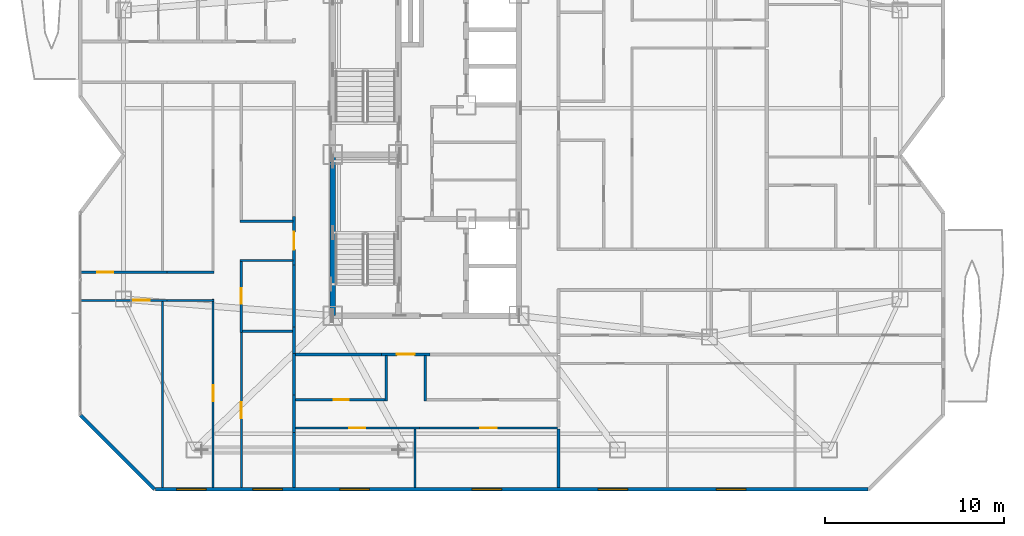
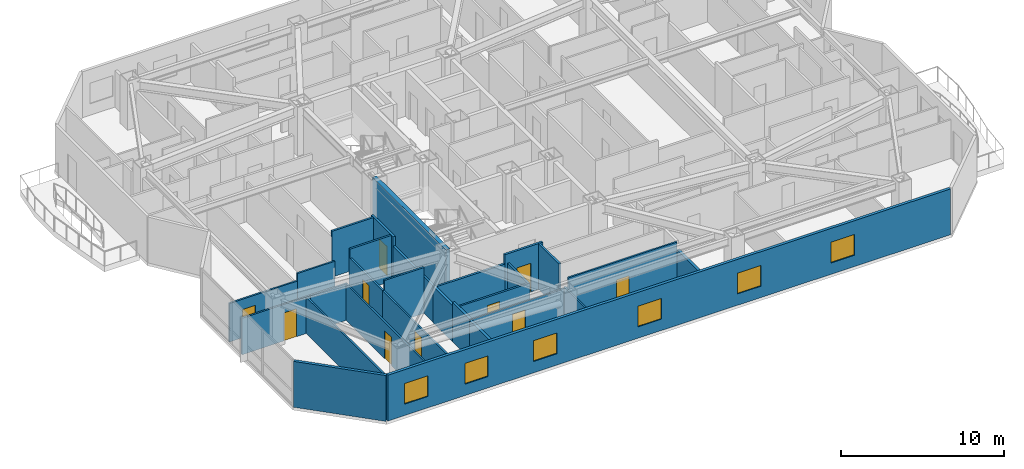
# One storey, part 9 of 16: 29 walls, 10 doors, 6 windows, 16 openings.
"""IFC4 building model written with IfcOpenShell, lengths in metres."""

from ifc_helpers import new_model, si_unit, direction, frame, frame_2d, origin, place, context, subcontext, project, spatial, rectangle, extrude, material, layer, layer_set, type_object, element, fill, save


model = new_model("IFC4")

# Units and contexts
model_context = context("Model", 3, precision=1e-05, world=origin(), true_north=direction((0.0, 1.0)))
body_context = subcontext(model_context, "Body", "Model", "MODEL_VIEW")
ifc_project = project(units=[si_unit("LENGTHUNIT", "METRE"), si_unit("AREAUNIT", "SQUARE_METRE"), si_unit("VOLUMEUNIT", "CUBIC_METRE"), si_unit("PLANEANGLEUNIT", "RADIAN"), si_unit("MASSUNIT", "GRAM", prefix="KILO")], contexts=[model_context])

# Site, building, storey
site_placement = place(None, origin())
site = spatial("IfcSite", under=ifc_project, at=site_placement, CompositionType="ELEMENT")
building_placement = place(site_placement, origin())
building = spatial("IfcBuilding", under=site, at=building_placement, Name="Khamvora Tower", CompositionType="ELEMENT")
storey_placement = place(building_placement, frame((0.0, 0.0, 170.5)))
storey = spatial("IfcBuildingStorey", under=building, at=storey_placement, Name="L43", CompositionType="ELEMENT", Elevation=170.5)

# Walls
ifc_material_1 = material(Name="Concrete C50/60", Category="concrete")
ifc_layer_1 = layer(ifc_material_1, 0.300048828125)
ifc_layer_set_1 = layer_set([ifc_layer_1], Name="Concrete C50/60")
wall_type_1 = type_object("IfcWallType", Name="WAL-CORE-300", PredefinedType="SHEAR", material=ifc_layer_set_1)
wall_1_placement = place(storey_placement, frame((29.0, 19.0, 0.0), z_axis=(0.0, 0.0, 1.0), x_axis=(0.0, 1.0, 0.0)))
element("IfcWall", 1, at=wall_1_placement, inside=storey, type_object=wall_type_1, Name="L43 central core west south wall", PredefinedType="SHEAR", context=body_context, shape_type="SweptSolid", body=[
    extrude(rectangle(XDim=9.0, YDim=0.300048828125, at=frame_2d((4.5, 0.0))), origin(), (0.0, 0.0, 1.0), 3.429931640625),
])
ifc_material_2 = material(Name="Fire-Rated Drywall and Steel Stud", Category="steel")
ifc_layer_2 = layer(ifc_material_2, 0.14990234375)
ifc_layer_set_2 = layer_set([ifc_layer_2], Name="Fire-Rated Drywall and Steel Stud")
wall_type_2 = type_object("IfcWallType", Name="WAL-CORR-150", PredefinedType="STANDARD", material=ifc_layer_set_2)
wall_2_placement = place(storey_placement, frame((26.8349609375, 16.89990234375, 0.0), z_axis=(0.0, 0.0, 1.0), x_axis=(0.0, 1.0, 0.0)))
element("IfcWall", 2, at=wall_2_placement, inside=storey, type_object=wall_type_2, Name="L43 interior partition wall 007", PredefinedType="STANDARD", context=body_context, shape_type="SweptSolid", body=[
    extrude(rectangle(XDim=1.468017578125, YDim=0.14990234375, at=frame_2d((0.73388671875, 0.0))), origin(), (0.0, 0.0, 1.0), 2.72509765625),
])

# Wall, opening, door
wall_3_placement = place(storey_placement, frame((26.8349609375, 21.8349609375, 0.0), z_axis=(0.0, 0.0, 1.0), x_axis=(0.0, 1.0, 0.0)))
wall_3 = element("IfcWall", 3, at=wall_3_placement, inside=storey, type_object=wall_type_2, Name="L43 interior partition wall 008", PredefinedType="STANDARD", context=body_context, shape_type="SweptSolid", body=[
    extrude(rectangle(XDim=2.697998046875, YDim=0.14990234375, at=frame_2d((1.34912109375, 0.0))), origin(), (0.0, 0.0, 1.0), 3.429931640625),
])
opening_1_placement = place(wall_3_placement, frame((0.84912109375, 0.0, 0.0)))
opening_1 = element("IfcOpeningElement", 4, at=opening_1_placement, cuts=wall_3, Name="Opening D-U1", PredefinedType="OPENING", context=body_context, shape_type="SweptSolid", body=[
    extrude(rectangle(XDim=1.0, YDim=2.14990234375, at=frame_2d((0.5, 1.074951171875))), frame((0.0, 0.0849609375, 0.0), z_axis=(0.0, -1.0, 0.0), x_axis=(1.0, 0.0, 0.0)), (0.0, 0.0, 1.0), 0.169921875),
])
ifc_material_3 = material(Name="Powder-Coated Steel and Hardwood Leaf", Category="steel")
door_type_1 = type_object("IfcDoorType", Name="DOR-UNIT-1000", OperationType="NOTDEFINED", PredefinedType="DOOR", material=ifc_material_3)
door_1_placement = place(opening_1_placement, origin())
door_1 = element("IfcDoor", 5, at=door_1_placement, inside=storey, type_object=door_type_1, Name="L43 interior door COR-43WAH", OperationType="SINGLE_SWING_RIGHT", OverallHeight=2.14990234375, OverallWidth=1.0, PredefinedType="DOOR", context=body_context, shape_type="SweptSolid", body=[
    extrude(rectangle(XDim=1.0, YDim=2.14990234375, at=frame_2d((0.5, 1.074951171875))), frame((0.0, 0.02490234375, 0.0), z_axis=(0.0, -1.0, 0.0), x_axis=(1.0, 0.0, 0.0)), (0.0, 0.0, 1.0), 0.050048828125),
])
fill(opening_1, door_1)

# Wall
wall_4_placement = place(storey_placement, frame((26.8349609375, 18.367919921875, 0.0), z_axis=(0.0, 0.0, 1.0), x_axis=(0.0, 1.0, 0.0)))
element("IfcWall", 6, at=wall_4_placement, inside=storey, type_object=wall_type_2, Name="L43 interior partition wall 010", PredefinedType="STANDARD", context=body_context, shape_type="SweptSolid", body=[
    extrude(rectangle(XDim=3.467041015625, YDim=0.14990234375, at=frame_2d((1.7333984375, 0.0))), origin(), (0.0, 0.0, 1.0), 2.72509765625),
])

# Wall, opening, door
wall_5_placement = place(storey_placement, frame((34.424072265625, 16.8349609375, 0.0), z_axis=(0.0, 0.0, 1.0), x_axis=(-1.0, 0.0, 0.0)))
wall_5 = element("IfcWall", 7, at=wall_5_placement, inside=storey, type_object=wall_type_2, Name="L43 interior partition wall 021", PredefinedType="STANDARD", context=body_context, shape_type="SweptSolid", body=[
    extrude(rectangle(XDim=2.697998046875, YDim=0.14990234375, at=frame_2d((1.34912109375, 0.0))), origin(), (0.0, 0.0, 1.0), 3.429931640625),
])
opening_2_placement = place(wall_5_placement, frame((0.84912109375, 0.0, 0.0)))
opening_2 = element("IfcOpeningElement", 8, at=opening_2_placement, cuts=wall_5, Name="Opening D-U1", PredefinedType="OPENING", context=body_context, shape_type="SweptSolid", body=[
    extrude(rectangle(XDim=1.0, YDim=2.14990234375, at=frame_2d((0.5, 1.074951171875))), frame((0.0, 0.0849609375, 0.0), z_axis=(0.0, -1.0, 0.0), x_axis=(1.0, 0.0, 0.0)), (0.0, 0.0, 1.0), 0.169921875),
])
door_2_placement = place(opening_2_placement, origin())
door_2 = element("IfcDoor", 9, at=door_2_placement, inside=storey, type_object=door_type_1, Name="L43 interior door COR-43SAH", OperationType="SINGLE_SWING_LEFT", OverallHeight=2.14990234375, OverallWidth=1.0, PredefinedType="DOOR", context=body_context, shape_type="SweptSolid", body=[
    extrude(rectangle(XDim=1.0, YDim=2.14990234375, at=frame_2d((0.5, 1.074951171875))), frame((0.0, 0.02490234375, 0.0), z_axis=(0.0, -1.0, 0.0), x_axis=(1.0, 0.0, 0.0)), (0.0, 0.0, 1.0), 0.050048828125),
])
fill(opening_2, door_2)

# Walls
wall_6_placement = place(storey_placement, frame((31.72607421875, 16.8349609375, 0.0), z_axis=(0.0, 0.0, 1.0), x_axis=(-1.0, 0.0, 0.0)))
element("IfcWall", 10, at=wall_6_placement, inside=storey, type_object=wall_type_2, Name="L43 interior partition wall 022", PredefinedType="STANDARD", context=body_context, shape_type="SweptSolid", body=[
    extrude(rectangle(XDim=4.826171875, YDim=0.14990234375, at=frame_2d((2.4130859375, 0.0))), origin(), (0.0, 0.0, 1.0), 2.72509765625),
])
ifc_material_4 = material(Name="Acoustic Double-Stud Fire Wall", Category="gypsum")
ifc_layer_3 = layer(ifc_material_4, 0.179931640625)
ifc_layer_set_3 = layer_set([ifc_layer_3], Name="Acoustic Double-Stud Fire Wall")
wall_type_3 = type_object("IfcWallType", Name="WAL-CORR-180", PredefinedType="STANDARD", material=ifc_layer_set_3)
wall_7_placement = place(storey_placement, frame((26.8349609375, 14.553955078125, 0.0), z_axis=(0.0, 0.0, 1.0), x_axis=(0.0, -1.0, 0.0)))
element("IfcWall", 11, at=wall_7_placement, inside=storey, type_object=wall_type_3, Name="L43 interior partition wall 047", PredefinedType="STANDARD", context=body_context, shape_type="SweptSolid", body=[
    extrude(rectangle(XDim=2.077880859375, YDim=0.179931640625, at=frame_2d((1.0390625, 0.0))), origin(), (0.0, 0.0, 1.0), 2.95703125),
])
wall_8_placement = place(storey_placement, frame((26.8349609375, 16.89990234375, 0.0), z_axis=(0.0, 0.0, 1.0), x_axis=(0.0, -1.0, 0.0)))
element("IfcWall", 12, at=wall_8_placement, inside=storey, type_object=wall_type_3, Name="L43 interior partition wall 048", PredefinedType="STANDARD", context=body_context, shape_type="SweptSolid", body=[
    extrude(rectangle(XDim=2.345947265625, YDim=0.179931640625, at=frame_2d((1.1728515625, 0.0))), origin(), (0.0, 0.0, 1.0), 2.72509765625),
])
wall_9_placement = place(storey_placement, frame((26.8349609375, 12.47607421875, 0.0), z_axis=(0.0, 0.0, 1.0), x_axis=(0.0, -1.0, 0.0)))
element("IfcWall", 13, at=wall_9_placement, inside=storey, type_object=wall_type_3, Name="L43 interior partition wall 049", PredefinedType="STANDARD", context=body_context, shape_type="SweptSolid", body=[
    extrude(rectangle(XDim=3.083984375, YDim=0.179931640625, at=frame_2d((1.5419921875, 0.0))), origin(), (0.0, 0.0, 1.0), 2.8759765625),
])
wall_10_placement = place(storey_placement, frame((41.614990234375, 12.659912109375, 0.0), z_axis=(0.0, 0.0, 1.0), x_axis=(0.0, -1.0, 0.0)))
element("IfcWall", 14, at=wall_10_placement, inside=storey, type_object=wall_type_3, Name="L43 interior partition wall 091", PredefinedType="STANDARD", context=body_context, shape_type="SweptSolid", body=[
    extrude(rectangle(XDim=3.267822265625, YDim=0.179931640625, at=frame_2d((1.6337890625, 0.0))), origin(), (0.0, 0.0, 1.0), 2.8759765625),
])
ifc_material_5 = material(Name="Precast concrete C40/50", Category="concrete")
ifc_layer_4 = layer(ifc_material_5, 0.199951171875)
ifc_layer_set_4 = layer_set([ifc_layer_4], Name="Precast concrete C40/50")
wall_type_4 = type_object("IfcWallType", Name="WAL-EXT-200", PredefinedType="STANDARD", material=ifc_layer_set_4)
wall_11_placement = place(storey_placement, frame((19.041015625, 9.300048828125, 0.0), z_axis=(0.0, 0.0, 1.0), x_axis=(-0.707127625344, 0.707085936414, 0.0)))
element("IfcWall", 15, at=wall_11_placement, inside=storey, type_object=wall_type_4, Name="L43 exterior facade wall 01.1", PredefinedType="STANDARD", context=body_context, shape_type="SweptSolid", body=[
    extrude(rectangle(XDim=5.856201171875, YDim=0.199951171875, at=frame_2d((2.92822265625, 0.0))), origin(), (0.0, 0.0, 1.0), 3.429931640625),
])

# Wall, openings, windows
wall_12_placement = place(storey_placement, frame((58.89599609375, 9.300048828125, 0.0), z_axis=(0.0, 0.0, 1.0), x_axis=(-1.0, 0.0, 0.0)))
wall_12 = element("IfcWall", 16, at=wall_12_placement, inside=storey, type_object=wall_type_4, Name="L43 exterior facade wall 14.1", PredefinedType="STANDARD", context=body_context, shape_type="SweptSolid", body=[
    extrude(rectangle(XDim=39.79296875, YDim=0.199951171875, at=frame_2d((19.896484375, 0.0))), origin(), (0.0, 0.0, 1.0), 3.429931640625),
])
opening_3_placement = place(wall_12_placement, frame((32.7080078125, 0.0, 0.85009765625)))
opening_3 = element("IfcOpeningElement", 17, at=opening_3_placement, cuts=wall_12, Name="Opening WN-06", PredefinedType="OPENING", context=body_context, shape_type="SweptSolid", body=[
    extrude(rectangle(XDim=1.64990234375, YDim=1.550048828125, at=frame_2d((0.824951171875, 0.77490234375))), frame((0.0, 0.10986328125, 0.0), z_axis=(0.0, -1.0, 0.0), x_axis=(1.0, 0.0, 0.0)), (0.0, 0.0, 1.0), 0.219970703125),
])
opening_4_placement = place(wall_12_placement, frame((36.971923828125, 0.0, 0.85009765625)))
opening_4 = element("IfcOpeningElement", 18, at=opening_4_placement, cuts=wall_12, Name="Opening WN-06", PredefinedType="OPENING", context=body_context, shape_type="SweptSolid", body=[
    extrude(rectangle(XDim=1.64990234375, YDim=1.550048828125, at=frame_2d((0.824951171875, 0.77490234375))), frame((0.0, 0.10986328125, 0.0), z_axis=(0.0, -1.0, 0.0), x_axis=(1.0, 0.0, 0.0)), (0.0, 0.0, 1.0), 0.219970703125),
])
opening_5_placement = place(wall_12_placement, frame((27.85400390625, 0.0, 0.85009765625)))
opening_5 = element("IfcOpeningElement", 19, at=opening_5_placement, cuts=wall_12, Name="Opening WN-06", PredefinedType="OPENING", context=body_context, shape_type="SweptSolid", body=[
    extrude(rectangle(XDim=1.64990234375, YDim=1.550048828125, at=frame_2d((0.824951171875, 0.77490234375))), frame((0.0, 0.10986328125, 0.0), z_axis=(0.0, -1.0, 0.0), x_axis=(1.0, 0.0, 0.0)), (0.0, 0.0, 1.0), 0.219970703125),
])
opening_6_placement = place(wall_12_placement, frame((20.464111328125, 0.0, 0.85009765625)))
opening_6 = element("IfcOpeningElement", 20, at=opening_6_placement, cuts=wall_12, Name="Opening WN-06", PredefinedType="OPENING", context=body_context, shape_type="SweptSolid", body=[
    extrude(rectangle(XDim=1.64990234375, YDim=1.550048828125, at=frame_2d((0.824951171875, 0.77490234375))), frame((0.0, 0.10986328125, 0.0), z_axis=(0.0, -1.0, 0.0), x_axis=(1.0, 0.0, 0.0)), (0.0, 0.0, 1.0), 0.219970703125),
])
opening_7_placement = place(wall_12_placement, frame((13.4169921875, 0.0, 0.85009765625)))
opening_7 = element("IfcOpeningElement", 21, at=opening_7_placement, cuts=wall_12, Name="Opening WN-06", PredefinedType="OPENING", context=body_context, shape_type="SweptSolid", body=[
    extrude(rectangle(XDim=1.64990234375, YDim=1.550048828125, at=frame_2d((0.824951171875, 0.77490234375))), frame((0.0, 0.10986328125, 0.0), z_axis=(0.0, -1.0, 0.0), x_axis=(1.0, 0.0, 0.0)), (0.0, 0.0, 1.0), 0.219970703125),
])
opening_8_placement = place(wall_12_placement, frame((6.81005859375, 0.0, 0.85009765625)))
opening_8 = element("IfcOpeningElement", 22, at=opening_8_placement, cuts=wall_12, Name="Opening WN-06", PredefinedType="OPENING", context=body_context, shape_type="SweptSolid", body=[
    extrude(rectangle(XDim=1.64990234375, YDim=1.550048828125, at=frame_2d((0.824951171875, 0.77490234375))), frame((0.0, 0.10986328125, 0.0), z_axis=(0.0, -1.0, 0.0), x_axis=(1.0, 0.0, 0.0)), (0.0, 0.0, 1.0), 0.219970703125),
])
ifc_material_6 = material(Name="Low-E Laminated Double Glazing", Category="glass")
window_type = type_object("IfcWindowType", Name="WIN-VIS-1650x1550", PartitioningType="SINGLE_PANEL", PredefinedType="WINDOW", material=ifc_material_6)
window_1_placement = place(opening_3_placement, origin())
window_1 = element("IfcWindow", 23, at=window_1_placement, inside=storey, type_object=window_type, Name="L43 vision window 14.1.01", OverallHeight=1.550048828125, OverallWidth=1.64990234375, PartitioningType="SINGLE_PANEL", PredefinedType="WINDOW", context=body_context, shape_type="SweptSolid", body=[
    extrude(rectangle(XDim=1.64990234375, YDim=1.550048828125, at=frame_2d((0.824951171875, 0.77490234375))), frame((0.0, 0.030029296875, 0.0), z_axis=(0.0, -1.0, 0.0), x_axis=(1.0, 0.0, 0.0)), (0.0, 0.0, 1.0), 0.06005859375),
])
fill(opening_3, window_1)
window_2_placement = place(opening_4_placement, origin())
window_2 = element("IfcWindow", 24, at=window_2_placement, inside=storey, type_object=window_type, Name="L43 vision window 14.1.02", OverallHeight=1.550048828125, OverallWidth=1.64990234375, PartitioningType="SINGLE_PANEL", PredefinedType="WINDOW", context=body_context, shape_type="SweptSolid", body=[
    extrude(rectangle(XDim=1.64990234375, YDim=1.550048828125, at=frame_2d((0.824951171875, 0.77490234375))), frame((0.0, 0.030029296875, 0.0), z_axis=(0.0, -1.0, 0.0), x_axis=(1.0, 0.0, 0.0)), (0.0, 0.0, 1.0), 0.06005859375),
])
fill(opening_4, window_2)
window_3_placement = place(opening_5_placement, origin())
window_3 = element("IfcWindow", 25, at=window_3_placement, inside=storey, type_object=window_type, Name="L43 vision window 14.1.03", OverallHeight=1.550048828125, OverallWidth=1.64990234375, PartitioningType="SINGLE_PANEL", PredefinedType="WINDOW", context=body_context, shape_type="SweptSolid", body=[
    extrude(rectangle(XDim=1.64990234375, YDim=1.550048828125, at=frame_2d((0.824951171875, 0.77490234375))), frame((0.0, 0.030029296875, 0.0), z_axis=(0.0, -1.0, 0.0), x_axis=(1.0, 0.0, 0.0)), (0.0, 0.0, 1.0), 0.06005859375),
])
fill(opening_5, window_3)
window_4_placement = place(opening_6_placement, origin())
window_4 = element("IfcWindow", 26, at=window_4_placement, inside=storey, type_object=window_type, Name="L43 vision window 14.1.04", OverallHeight=1.550048828125, OverallWidth=1.64990234375, PartitioningType="SINGLE_PANEL", PredefinedType="WINDOW", context=body_context, shape_type="SweptSolid", body=[
    extrude(rectangle(XDim=1.64990234375, YDim=1.550048828125, at=frame_2d((0.824951171875, 0.77490234375))), frame((0.0, 0.030029296875, 0.0), z_axis=(0.0, -1.0, 0.0), x_axis=(1.0, 0.0, 0.0)), (0.0, 0.0, 1.0), 0.06005859375),
])
fill(opening_6, window_4)
window_5_placement = place(opening_7_placement, origin())
window_5 = element("IfcWindow", 27, at=window_5_placement, inside=storey, type_object=window_type, Name="L43 vision window 14.1.05", OverallHeight=1.550048828125, OverallWidth=1.64990234375, PartitioningType="SINGLE_PANEL", PredefinedType="WINDOW", context=body_context, shape_type="SweptSolid", body=[
    extrude(rectangle(XDim=1.64990234375, YDim=1.550048828125, at=frame_2d((0.824951171875, 0.77490234375))), frame((0.0, 0.030029296875, 0.0), z_axis=(0.0, -1.0, 0.0), x_axis=(1.0, 0.0, 0.0)), (0.0, 0.0, 1.0), 0.06005859375),
])
fill(opening_7, window_5)
window_6_placement = place(opening_8_placement, origin())
window_6 = element("IfcWindow", 28, at=window_6_placement, inside=storey, type_object=window_type, Name="L43 vision window 14.1.06", OverallHeight=1.550048828125, OverallWidth=1.64990234375, PartitioningType="SINGLE_PANEL", PredefinedType="WINDOW", context=body_context, shape_type="SweptSolid", body=[
    extrude(rectangle(XDim=1.64990234375, YDim=1.550048828125, at=frame_2d((0.824951171875, 0.77490234375))), frame((0.0, 0.030029296875, 0.0), z_axis=(0.0, -1.0, 0.0), x_axis=(1.0, 0.0, 0.0)), (0.0, 0.0, 1.0), 0.06005859375),
])
fill(opening_8, window_6)

# Wall, opening, door
ifc_material_7 = material(Name="Gypsum Plasterboard Partition", Category="gypsum")
ifc_layer_5 = layer(ifc_material_7, 0.1201171875)
ifc_layer_set_5 = layer_set([ifc_layer_5], Name="Gypsum Plasterboard Partition")
wall_type_5 = type_object("IfcWallType", Name="WAL-PART-120", PredefinedType="PARTITIONING", material=ifc_layer_set_5)
wall_13_placement = place(storey_placement, frame((23.889892578125, 9.39208984375, 0.0), z_axis=(0.0, 0.0, 1.0), x_axis=(0.0, 1.0, 0.0)))
wall_13 = element("IfcWall", 29, at=wall_13_placement, inside=storey, type_object=wall_type_5, Name="L43 interior partition wall 045", PredefinedType="PARTITIONING", context=body_context, shape_type="SweptSolid", body=[
    extrude(rectangle(XDim=8.661865234375, YDim=0.1201171875, at=frame_2d((4.3310546875, 0.0))), origin(), (0.0, 0.0, 1.0), 2.72509765625),
])
opening_9_placement = place(wall_13_placement, frame((3.881103515625, 0.0, 0.0)))
opening_9 = element("IfcOpeningElement", 30, at=opening_9_placement, cuts=wall_13, Name="Opening D-RM1", PredefinedType="OPENING", context=body_context, shape_type="SweptSolid", body=[
    extrude(rectangle(XDim=0.89990234375, YDim=2.10009765625, at=frame_2d((0.449951171875, 1.050048828125))), frame((0.0, 0.070068359375, 0.0), z_axis=(0.0, -1.0, 0.0), x_axis=(1.0, 0.0, 0.0)), (0.0, 0.0, 1.0), 0.14013671875),
])
door_type_2 = type_object("IfcDoorType", Name="DOR-ROOM-900", OperationType="NOTDEFINED", PredefinedType="DOOR", material=ifc_material_3)
door_3_placement = place(opening_9_placement, origin())
door_3 = element("IfcDoor", 31, at=door_3_placement, inside=storey, type_object=door_type_2, Name="L43 interior door 43WAW1-43WAH", OperationType="SINGLE_SWING_RIGHT", OverallHeight=2.10009765625, OverallWidth=0.89990234375, PredefinedType="DOOR", context=body_context, shape_type="SweptSolid", body=[
    extrude(rectangle(XDim=0.89990234375, YDim=2.10009765625, at=frame_2d((0.449951171875, 1.050048828125))), frame((0.0, 0.02490234375, 0.0), z_axis=(0.0, -1.0, 0.0), x_axis=(1.0, 0.0, 0.0)), (0.0, 0.0, 1.0), 0.050048828125),
])
fill(opening_9, door_3)

wall_14_placement = place(storey_placement, frame((19.737060546875, 19.85498046875, 0.0), z_axis=(0.0, 0.0, 1.0), x_axis=(-1.0, 0.0, 0.0)))
wall_14 = element("IfcWall", 32, at=wall_14_placement, inside=storey, type_object=wall_type_5, Name="L43 interior partition wall 054", PredefinedType="PARTITIONING", context=body_context, shape_type="SweptSolid", body=[
    extrude(rectangle(XDim=4.8271484375, YDim=0.1201171875, at=frame_2d((2.41357421875, 0.0))), origin(), (0.0, 0.0, 1.0), 2.72509765625),
])
opening_10_placement = place(wall_14_placement, frame((0.97412109375, 0.0, 0.0)))
opening_10 = element("IfcOpeningElement", 33, at=opening_10_placement, cuts=wall_14, Name="Opening D-RM1", PredefinedType="OPENING", context=body_context, shape_type="SweptSolid", body=[
    extrude(rectangle(XDim=0.89990234375, YDim=2.10009765625, at=frame_2d((0.449951171875, 1.050048828125))), frame((0.0, 0.070068359375, 0.0), z_axis=(0.0, -1.0, 0.0), x_axis=(1.0, 0.0, 0.0)), (0.0, 0.0, 1.0), 0.14013671875),
])
door_4_placement = place(opening_10_placement, origin())
door_4 = element("IfcDoor", 34, at=door_4_placement, inside=storey, type_object=door_type_2, Name="L43 interior door 43WAH-43WAR1", OperationType="SINGLE_SWING_LEFT", OverallHeight=2.10009765625, OverallWidth=0.89990234375, PredefinedType="DOOR", context=body_context, shape_type="SweptSolid", body=[
    extrude(rectangle(XDim=0.89990234375, YDim=2.10009765625, at=frame_2d((0.449951171875, 1.050048828125))), frame((0.0, 0.02490234375, 0.0), z_axis=(0.0, -1.0, 0.0), x_axis=(1.0, 0.0, 0.0)), (0.0, 0.0, 1.0), 0.050048828125),
])
fill(opening_10, door_4)

wall_15_placement = place(storey_placement, frame((22.31005859375, 9.39208984375, 0.0), z_axis=(0.0, 0.0, 1.0), x_axis=(0.0, 1.0, 0.0)))
wall_15 = element("IfcWall", 35, at=wall_15_placement, inside=storey, type_object=wall_type_5, Name="L43 interior partition wall 055", PredefinedType="PARTITIONING", context=body_context, shape_type="SweptSolid", body=[
    extrude(rectangle(XDim=10.52783203125, YDim=0.1201171875, at=frame_2d((5.263916015625, 0.0))), origin(), (0.0, 0.0, 1.0), 2.72509765625),
])
opening_11_placement = place(wall_15_placement, frame((4.81396484375, 0.0, 0.0)))
opening_11 = element("IfcOpeningElement", 36, at=opening_11_placement, cuts=wall_15, Name="Opening D-RM1", PredefinedType="OPENING", context=body_context, shape_type="SweptSolid", body=[
    extrude(rectangle(XDim=0.89990234375, YDim=2.10009765625, at=frame_2d((0.449951171875, 1.050048828125))), frame((0.0, 0.070068359375, 0.0), z_axis=(0.0, -1.0, 0.0), x_axis=(1.0, 0.0, 0.0)), (0.0, 0.0, 1.0), 0.14013671875),
])
door_5_placement = place(opening_11_placement, origin())
door_5 = element("IfcDoor", 37, at=door_5_placement, inside=storey, type_object=door_type_2, Name="L43 interior door 43WAH-43WAR2", OperationType="SINGLE_SWING_LEFT", OverallHeight=2.10009765625, OverallWidth=0.89990234375, PredefinedType="DOOR", context=body_context, shape_type="SweptSolid", body=[
    extrude(rectangle(XDim=0.89990234375, YDim=2.10009765625, at=frame_2d((0.449951171875, 1.050048828125))), frame((0.0, 0.02490234375, 0.0), z_axis=(0.0, -1.0, 0.0), x_axis=(1.0, 0.0, 0.0)), (0.0, 0.0, 1.0), 0.050048828125),
])
fill(opening_11, door_5)

# Wall
wall_16_placement = place(storey_placement, frame((22.375, 19.85498046875, 0.0), z_axis=(0.0, 0.0, 1.0), x_axis=(-1.0, 0.0, 0.0)))
element("IfcWall", 38, at=wall_16_placement, inside=storey, type_object=wall_type_5, Name="L43 interior partition wall 056", PredefinedType="PARTITIONING", context=body_context, shape_type="SweptSolid", body=[
    extrude(rectangle(XDim=2.637939453125, YDim=0.1201171875, at=frame_2d((1.31884765625, 0.0))), origin(), (0.0, 0.0, 1.0), 2.72509765625),
])

# Wall, opening, door
wall_17_placement = place(storey_placement, frame((14.909912109375, 21.425048828125, 0.0), z_axis=(0.0, 0.0, 1.0), x_axis=(1.0, 0.0, 0.0)))
wall_17 = element("IfcWall", 39, at=wall_17_placement, inside=storey, type_object=wall_type_5, Name="L43 interior partition wall 057", PredefinedType="PARTITIONING", context=body_context, shape_type="SweptSolid", body=[
    extrude(rectangle(XDim=4.8271484375, YDim=0.1201171875, at=frame_2d((2.41357421875, 0.0))), origin(), (0.0, 0.0, 1.0), 2.8759765625),
])
opening_12_placement = place(wall_17_placement, frame((0.931884765625, 0.0, 0.0)))
opening_12 = element("IfcOpeningElement", 40, at=opening_12_placement, cuts=wall_17, Name="Opening D-RM1", PredefinedType="OPENING", context=body_context, shape_type="SweptSolid", body=[
    extrude(rectangle(XDim=0.89990234375, YDim=2.10009765625, at=frame_2d((0.449951171875, 1.050048828125))), frame((0.0, 0.070068359375, 0.0), z_axis=(0.0, -1.0, 0.0), x_axis=(1.0, 0.0, 0.0)), (0.0, 0.0, 1.0), 0.14013671875),
])
door_6_placement = place(opening_12_placement, origin())
door_6 = element("IfcDoor", 41, at=door_6_placement, inside=storey, type_object=door_type_2, Name="L43 interior door 43WAH-43WAR3", OperationType="SINGLE_SWING_LEFT", OverallHeight=2.10009765625, OverallWidth=0.89990234375, PredefinedType="DOOR", context=body_context, shape_type="SweptSolid", body=[
    extrude(rectangle(XDim=0.89990234375, YDim=2.10009765625, at=frame_2d((0.449951171875, 1.050048828125))), frame((0.0, 0.02490234375, 0.0), z_axis=(0.0, -1.0, 0.0), x_axis=(1.0, 0.0, 0.0)), (0.0, 0.0, 1.0), 0.050048828125),
])
fill(opening_12, door_6)

# Walls
wall_18_placement = place(storey_placement, frame((19.737060546875, 21.425048828125, 0.0), z_axis=(0.0, 0.0, 1.0), x_axis=(1.0, 0.0, 0.0)))
element("IfcWall", 42, at=wall_18_placement, inside=storey, type_object=wall_type_5, Name="L43 interior partition wall 058", PredefinedType="PARTITIONING", context=body_context, shape_type="SweptSolid", body=[
    extrude(rectangle(XDim=2.637939453125, YDim=0.1201171875, at=frame_2d((1.31884765625, 0.0))), origin(), (0.0, 0.0, 1.0), 3.429931640625),
])
wall_19_placement = place(storey_placement, frame((19.488037109375, 19.801025390625, 0.0), z_axis=(0.0, 0.0, 1.0), x_axis=(0.0, -1.0, 0.0)))
element("IfcWall", 43, at=wall_19_placement, inside=storey, type_object=wall_type_5, Name="L43 interior partition wall 060", PredefinedType="PARTITIONING", context=body_context, shape_type="SweptSolid", body=[
    extrude(rectangle(XDim=10.408935546875, YDim=0.1201171875, at=frame_2d((5.20458984375, 0.0))), origin(), (0.0, 0.0, 1.0), 2.72509765625),
])

# Wall, opening, door
wall_20_placement = place(storey_placement, frame((33.847900390625, 12.72509765625, 0.0), z_axis=(0.0, 0.0, 1.0), x_axis=(-1.0, 0.0, 0.0)))
wall_20 = element("IfcWall", 44, at=wall_20_placement, inside=storey, type_object=wall_type_5, Name="L43 interior partition wall 085", PredefinedType="PARTITIONING", context=body_context, shape_type="SweptSolid", body=[
    extrude(rectangle(XDim=6.930908203125, YDim=0.1201171875, at=frame_2d((3.46533203125, 0.0))), origin(), (0.0, 0.0, 1.0), 2.72509765625),
])
opening_13_placement = place(wall_20_placement, frame((3.035888671875, 0.0, 0.0)))
opening_13 = element("IfcOpeningElement", 45, at=opening_13_placement, cuts=wall_20, Name="Opening D-RM1", PredefinedType="OPENING", context=body_context, shape_type="SweptSolid", body=[
    extrude(rectangle(XDim=0.89990234375, YDim=2.10009765625, at=frame_2d((0.449951171875, 1.050048828125))), frame((0.0, 0.070068359375, 0.0), z_axis=(0.0, -1.0, 0.0), x_axis=(1.0, 0.0, 0.0)), (0.0, 0.0, 1.0), 0.14013671875),
])
door_7_placement = place(opening_13_placement, origin())
door_7 = element("IfcDoor", 46, at=door_7_placement, inside=storey, type_object=door_type_2, Name="L43 interior door 43SAH-43SAL", OperationType="SINGLE_SWING_RIGHT", OverallHeight=2.10009765625, OverallWidth=0.89990234375, PredefinedType="DOOR", context=body_context, shape_type="SweptSolid", body=[
    extrude(rectangle(XDim=0.89990234375, YDim=2.10009765625, at=frame_2d((0.449951171875, 1.050048828125))), frame((0.0, 0.02490234375, 0.0), z_axis=(0.0, -1.0, 0.0), x_axis=(1.0, 0.0, 0.0)), (0.0, 0.0, 1.0), 0.050048828125),
])
fill(opening_13, door_7)

wall_21_placement = place(storey_placement, frame((41.550048828125, 12.72509765625, 0.0), z_axis=(0.0, 0.0, 1.0), x_axis=(-1.0, 0.0, 0.0)))
wall_21 = element("IfcWall", 47, at=wall_21_placement, inside=storey, type_object=wall_type_5, Name="L43 interior partition wall 086", PredefinedType="PARTITIONING", context=body_context, shape_type="SweptSolid", body=[
    extrude(rectangle(XDim=7.7021484375, YDim=0.1201171875, at=frame_2d((3.85107421875, 0.0))), origin(), (0.0, 0.0, 1.0), 3.429931640625),
])
opening_14_placement = place(wall_21_placement, frame((3.40087890625, 0.0, 0.0)))
opening_14 = element("IfcOpeningElement", 48, at=opening_14_placement, cuts=wall_21, Name="Opening D-RM1", PredefinedType="OPENING", context=body_context, shape_type="SweptSolid", body=[
    extrude(rectangle(XDim=0.89990234375, YDim=2.10009765625, at=frame_2d((0.449951171875, 1.050048828125))), frame((0.0, 0.070068359375, 0.0), z_axis=(0.0, -1.0, 0.0), x_axis=(1.0, 0.0, 0.0)), (0.0, 0.0, 1.0), 0.14013671875),
])
door_8_placement = place(opening_14_placement, origin())
door_8 = element("IfcDoor", 49, at=door_8_placement, inside=storey, type_object=door_type_2, Name="L43 interior door 43SAH-43SAR2", OperationType="SINGLE_SWING_LEFT", OverallHeight=2.10009765625, OverallWidth=0.89990234375, PredefinedType="DOOR", context=body_context, shape_type="SweptSolid", body=[
    extrude(rectangle(XDim=0.89990234375, YDim=2.10009765625, at=frame_2d((0.449951171875, 1.050048828125))), frame((0.0, 0.02490234375, 0.0), z_axis=(0.0, -1.0, 0.0), x_axis=(1.0, 0.0, 0.0)), (0.0, 0.0, 1.0), 0.050048828125),
])
fill(opening_14, door_8)

# Walls
wall_22_placement = place(storey_placement, frame((33.59912109375, 12.6708984375, 0.0), z_axis=(0.0, 0.0, 1.0), x_axis=(0.0, -1.0, 0.0)))
element("IfcWall", 50, at=wall_22_placement, inside=storey, type_object=wall_type_5, Name="L43 interior partition wall 090", PredefinedType="PARTITIONING", context=body_context, shape_type="SweptSolid", body=[
    extrude(rectangle(XDim=3.27880859375, YDim=0.1201171875, at=frame_2d((1.639404296875, 0.0))), origin(), (0.0, 0.0, 1.0), 2.8759765625),
])
ifc_material_8 = material(Name="Moisture-Resistant Plasterboard Partition", Category="gypsum")
ifc_layer_6 = layer(ifc_material_8, 0.135009765625)
ifc_layer_set_6 = layer_set([ifc_layer_6], Name="Moisture-Resistant Plasterboard Partition")
wall_type_6 = type_object("IfcWallType", Name="WAL-WET-135", PredefinedType="PARTITIONING", material=ifc_layer_set_6)
wall_23_placement = place(storey_placement, frame((23.955078125, 18.118896484375, 0.0), z_axis=(0.0, 0.0, 1.0), x_axis=(1.0, 0.0, 0.0)))
element("IfcWall", 51, at=wall_23_placement, inside=storey, type_object=wall_type_6, Name="L43 interior partition wall 046", PredefinedType="PARTITIONING", context=body_context, shape_type="SweptSolid", body=[
    extrude(rectangle(XDim=2.81494140625, YDim=0.135009765625, at=frame_2d((1.407470703125, 0.0))), origin(), (0.0, 0.0, 1.0), 3.429931640625),
])
wall_24_placement = place(storey_placement, frame((26.77001953125, 22.083984375, 0.0), z_axis=(0.0, 0.0, 1.0), x_axis=(-1.0, 0.0, 0.0)))
element("IfcWall", 52, at=wall_24_placement, inside=storey, type_object=wall_type_6, Name="L43 interior partition wall 050", PredefinedType="PARTITIONING", context=body_context, shape_type="SweptSolid", body=[
    extrude(rectangle(XDim=2.945068359375, YDim=0.135009765625, at=frame_2d((1.47265625, 0.0))), origin(), (0.0, 0.0, 1.0), 3.429931640625),
])

# Wall, opening, door
wall_25_placement = place(storey_placement, frame((23.889892578125, 22.14892578125, 0.0), z_axis=(0.0, 0.0, 1.0), x_axis=(0.0, -1.0, 0.0)))
wall_25 = element("IfcWall", 53, at=wall_25_placement, inside=storey, type_object=wall_type_6, Name="L43 interior partition wall 051", PredefinedType="PARTITIONING", context=body_context, shape_type="SweptSolid", body=[
    extrude(rectangle(XDim=4.094970703125, YDim=0.135009765625, at=frame_2d((2.04736328125, 0.0))), origin(), (0.0, 0.0, 1.0), 2.72509765625),
])
opening_15_placement = place(wall_25_placement, frame((1.6220703125, 0.0, 0.0)))
opening_15 = element("IfcOpeningElement", 54, at=opening_15_placement, cuts=wall_25, Name="Opening D-WC1", PredefinedType="OPENING", context=body_context, shape_type="SweptSolid", body=[
    extrude(rectangle(XDim=0.85009765625, YDim=2.10009765625, at=frame_2d((0.425048828125, 1.050048828125))), frame((0.0, 0.077392578125, 0.0), z_axis=(0.0, -1.0, 0.0), x_axis=(1.0, 0.0, 0.0)), (0.0, 0.0, 1.0), 0.155029296875),
])
door_type_3 = type_object("IfcDoorType", Name="DOR-WET-850", OperationType="NOTDEFINED", PredefinedType="DOOR", material=ifc_material_3)
door_9_placement = place(opening_15_placement, origin())
door_9 = element("IfcDoor", 55, at=door_9_placement, inside=storey, type_object=door_type_3, Name="L43 interior door 43WAH-43WAB", OperationType="SINGLE_SWING_LEFT", OverallHeight=2.10009765625, OverallWidth=0.85009765625, PredefinedType="DOOR", context=body_context, shape_type="SweptSolid", body=[
    extrude(rectangle(XDim=0.85009765625, YDim=2.10009765625, at=frame_2d((0.425048828125, 1.050048828125))), frame((0.0, 0.02490234375, 0.0), z_axis=(0.0, -1.0, 0.0), x_axis=(1.0, 0.0, 0.0)), (0.0, 0.0, 1.0), 0.050048828125),
])
fill(opening_15, door_9)

# Wall
wall_26_placement = place(storey_placement, frame((23.824951171875, 24.283935546875, 0.0), z_axis=(0.0, 0.0, 1.0), x_axis=(1.0, 0.0, 0.0)))
element("IfcWall", 56, at=wall_26_placement, inside=storey, type_object=wall_type_6, Name="L43 interior partition wall 053", PredefinedType="PARTITIONING", context=body_context, shape_type="SweptSolid", body=[
    extrude(rectangle(XDim=2.945068359375, YDim=0.135009765625, at=frame_2d((1.47265625, 0.0))), origin(), (0.0, 0.0, 1.0), 3.429931640625),
])

# Wall, opening, door
wall_27_placement = place(storey_placement, frame((26.9169921875, 14.304931640625, 0.0), z_axis=(0.0, 0.0, 1.0), x_axis=(1.0, 0.0, 0.0)))
wall_27 = element("IfcWall", 57, at=wall_27_placement, inside=storey, type_object=wall_type_6, Name="L43 interior partition wall 081", PredefinedType="PARTITIONING", context=body_context, shape_type="SweptSolid", body=[
    extrude(rectangle(XDim=5.123046875, YDim=0.135009765625, at=frame_2d((2.5615234375, 0.0))), origin(), (0.0, 0.0, 1.0), 2.72509765625),
])
opening_16_placement = place(wall_27_placement, frame((2.136962890625, 0.0, 0.0)))
opening_16 = element("IfcOpeningElement", 58, at=opening_16_placement, cuts=wall_27, Name="Opening D-WC1", PredefinedType="OPENING", context=body_context, shape_type="SweptSolid", body=[
    extrude(rectangle(XDim=0.85009765625, YDim=2.10009765625, at=frame_2d((0.425048828125, 1.050048828125))), frame((0.0, 0.077392578125, 0.0), z_axis=(0.0, -1.0, 0.0), x_axis=(1.0, 0.0, 0.0)), (0.0, 0.0, 1.0), 0.155029296875),
])
door_10_placement = place(opening_16_placement, origin())
door_10 = element("IfcDoor", 59, at=door_10_placement, inside=storey, type_object=door_type_3, Name="L43 interior door 43SAH-43SAB", OperationType="SINGLE_SWING_RIGHT", OverallHeight=2.10009765625, OverallWidth=0.85009765625, PredefinedType="DOOR", context=body_context, shape_type="SweptSolid", body=[
    extrude(rectangle(XDim=0.85009765625, YDim=2.10009765625, at=frame_2d((0.425048828125, 1.050048828125))), frame((0.0, 0.02490234375, 0.0), z_axis=(0.0, -1.0, 0.0), x_axis=(1.0, 0.0, 0.0)), (0.0, 0.0, 1.0), 0.050048828125),
])
fill(opening_16, door_10)

# Walls
wall_28_placement = place(storey_placement, frame((31.97509765625, 14.239990234375, 0.0), z_axis=(0.0, 0.0, 1.0), x_axis=(0.0, 1.0, 0.0)))
element("IfcWall", 60, at=wall_28_placement, inside=storey, type_object=wall_type_6, Name="L43 interior partition wall 082", PredefinedType="PARTITIONING", context=body_context, shape_type="SweptSolid", body=[
    extrude(rectangle(XDim=2.530029296875, YDim=0.135009765625, at=frame_2d((1.26513671875, 0.0))), origin(), (0.0, 0.0, 1.0), 2.72509765625),
])
wall_29_placement = place(storey_placement, frame((34.175048828125, 16.77001953125, 0.0), z_axis=(0.0, 0.0, 1.0), x_axis=(0.0, -1.0, 0.0)))
element("IfcWall", 61, at=wall_29_placement, inside=storey, type_object=wall_type_6, Name="L43 interior partition wall 083", PredefinedType="PARTITIONING", context=body_context, shape_type="SweptSolid", body=[
    extrude(rectangle(XDim=2.530029296875, YDim=0.135009765625, at=frame_2d((1.26513671875, 0.0))), origin(), (0.0, 0.0, 1.0), 3.429931640625),
])

save(model, "model.ifc")
